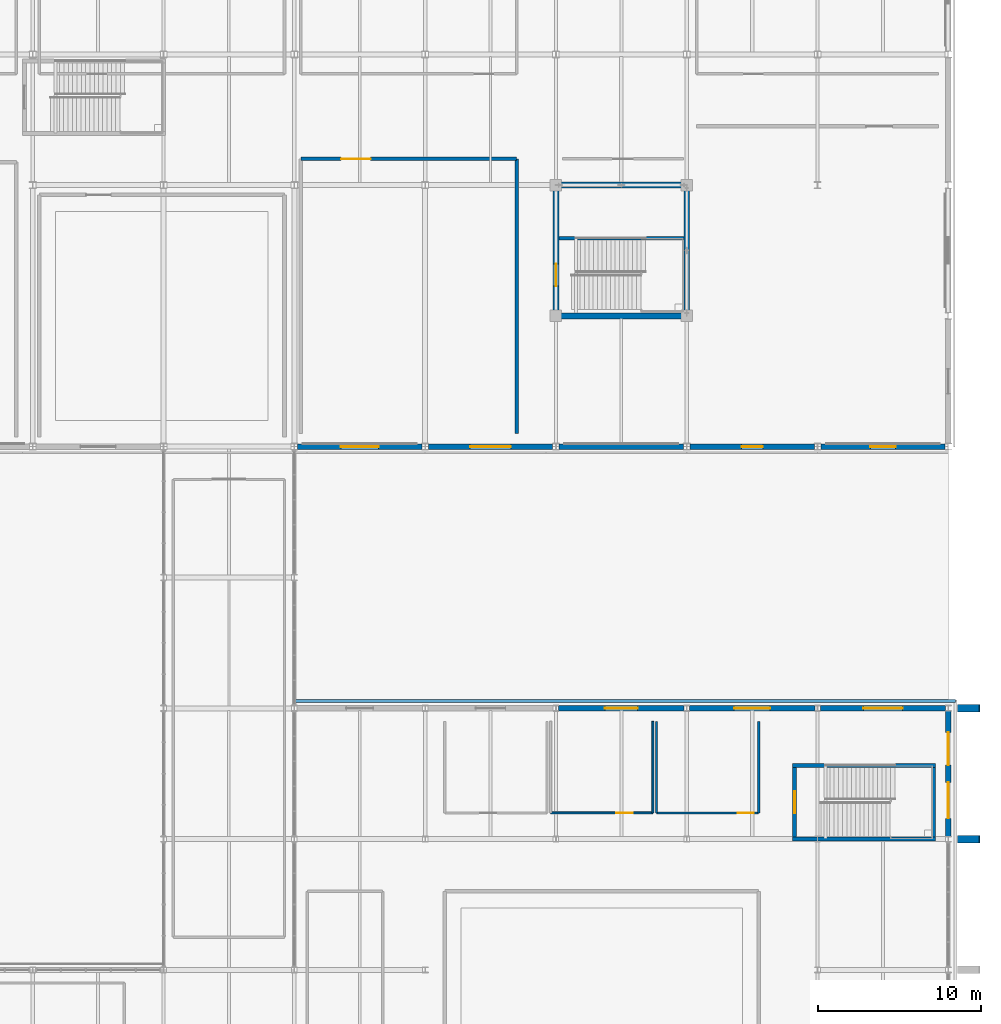
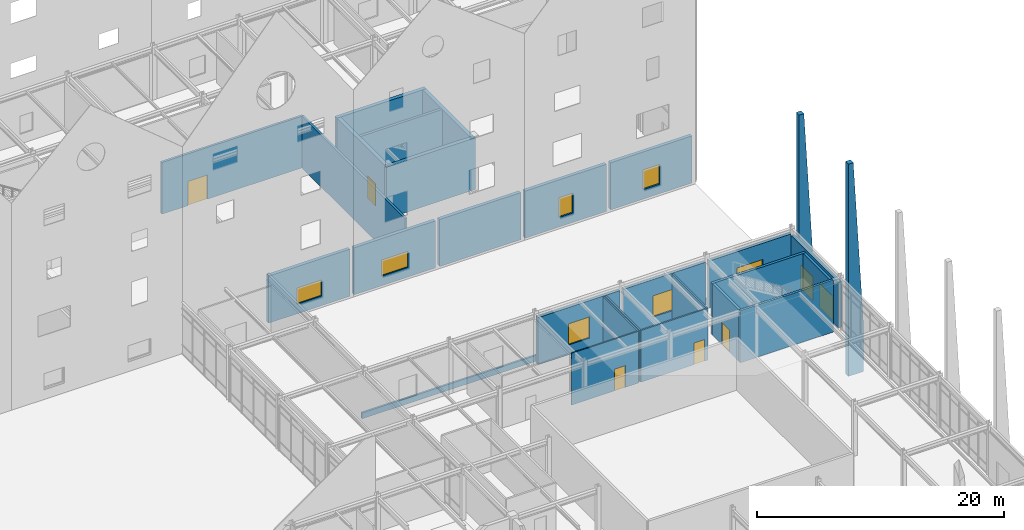
# One storey, part 97 of 119: 28 walls, 7 doors, 7 windows, 14 openings.
"""IFC4 building model written with IfcOpenShell, lengths in metres."""

from ifc_helpers import new_model, si_unit, direction, frame, frame_2d, origin, place, context, subcontext, project, spatial, polyline, rectangle, outline, extrude, material, layer, layer_set, type_object, element, fill, save


model = new_model("IFC4")

# Units and contexts
model_context = context("Model", 3, precision=1e-05, world=origin(), true_north=direction((0.0, 1.0)))
body_context = subcontext(model_context, "Body", "Model", "MODEL_VIEW")
ifc_project = project(units=[si_unit("LENGTHUNIT", "METRE"), si_unit("AREAUNIT", "SQUARE_METRE"), si_unit("VOLUMEUNIT", "CUBIC_METRE"), si_unit("PLANEANGLEUNIT", "RADIAN"), si_unit("MASSUNIT", "GRAM", prefix="KILO")], contexts=[model_context])

# Site, building, storey
site_placement = place(None, origin())
site = spatial("IfcSite", under=ifc_project, at=site_placement, CompositionType="ELEMENT")
building_placement = place(site_placement, origin())
building = spatial("IfcBuilding", under=site, at=building_placement, Name="Zhaolan Boulevard Law Courts", CompositionType="ELEMENT")
storey_placement = place(building_placement, origin())
storey = spatial("IfcBuildingStorey", under=building, at=storey_placement, Name="L00", CompositionType="ELEMENT", Elevation=0.0)

# Walls
ifc_material_1 = material(Name="Concrete C50", Category="concrete")
ifc_layer_1 = layer(ifc_material_1, 0.35009765625)
ifc_layer_set_1 = layer_set([ifc_layer_1])
wall_type_1 = type_object("IfcWallType", Name="CORE SHEAR WALL 350", PredefinedType="SHEAR", material=ifc_layer_set_1)
for number, where, z_axis, x_axis, name in (
    (1, (139.824951171875, 70.0, 0.0), (0.0, 0.0, 1.0), (1.0, 0.0, 0.0), "Core Shear Wall CW-T2-L00S"),
    (2, (148.175048828125, 78.0, 0.0), (0.0, 0.0, 1.0), (-1.0, 0.0, 0.0), "Core Shear Wall CW-T2-L00N"),
):
    element("IfcWall", number, at=place(storey_placement, frame(where, z_axis=z_axis, x_axis=x_axis)), inside=storey, type_object=wall_type_1, Name=name, PredefinedType="SHEAR", context=body_context, shape_type="SweptSolid", body=[
        extrude(rectangle(XDim=8.35009765625, YDim=0.35009765625, at=frame_2d((4.175048828125, 0.0))), origin(), (0.0, 0.0, 1.0), 5.1201171875),
    ])

# Wall, opening, door
wall_1_placement = place(storey_placement, frame((140.0, 70.175048828125, 0.0), z_axis=(0.0, 0.0, 1.0), x_axis=(0.0, 1.0, 0.0)))
wall_1 = element("IfcWall", 3, at=wall_1_placement, inside=storey, type_object=wall_type_1, Name="Core Shear Wall CW-T2-L00W", PredefinedType="SHEAR", context=body_context, shape_type="SweptSolid", body=[
    extrude(rectangle(XDim=7.64990234375, YDim=0.35009765625, at=frame_2d((3.824951171875, 0.0))), origin(), (0.0, 0.0, 1.0), 5.1201171875),
])
opening_1_placement = place(wall_1_placement, frame((1.64990234375, 0.0, 0.0)))
opening_1 = element("IfcOpeningElement", 4, at=opening_1_placement, cuts=wall_1, Name="Opening SD-L00-34", PredefinedType="OPENING", context=body_context, shape_type="SweptSolid", body=[
    extrude(rectangle(XDim=1.35009765625, YDim=2.199951171875, at=frame_2d((0.675048828125, 1.10009765625))), frame((0.0, 0.18505859375, 0.0), z_axis=(0.0, -1.0, 0.0), x_axis=(1.0, 0.0, 0.0)), (0.0, 0.0, 1.0), 0.3701171875),
])
ifc_material_2 = material(Name="Fire-rated steel acoustic door", Category="steel")
door_type_1 = type_object("IfcDoorType", Name="STAIR FIRE 1350X2200 R", OperationType="SINGLE_SWING_RIGHT", PredefinedType="DOOR", material=ifc_material_2)
door_1_placement = place(opening_1_placement, origin())
door_1 = element("IfcDoor", 5, at=door_1_placement, inside=storey, type_object=door_type_1, Name="Smoke-Proof Stairwell Fire Door SD-L00-34", OperationType="SINGLE_SWING_RIGHT", OverallHeight=2.199951171875, OverallWidth=1.35009765625, PredefinedType="DOOR", context=body_context, shape_type="SweptSolid", body=[
    extrude(rectangle(XDim=1.35009765625, YDim=2.199951171875, at=frame_2d((0.675048828125, 1.10009765625))), frame((0.0, 0.02490234375, 0.0), z_axis=(0.0, -1.0, 0.0), x_axis=(1.0, 0.0, 0.0)), (0.0, 0.0, 1.0), 0.050048828125),
])
fill(opening_1, door_1)

# Walls
wall_2_placement = place(storey_placement, frame((148.0, 70.175048828125, 0.0), z_axis=(0.0, 0.0, 1.0), x_axis=(0.0, 1.0, 0.0)))
element("IfcWall", 6, at=wall_2_placement, inside=storey, type_object=wall_type_1, Name="Core Shear Wall CW-T2-L00E", PredefinedType="SHEAR", context=body_context, shape_type="SweptSolid", body=[
    extrude(rectangle(XDim=7.64990234375, YDim=0.35009765625, at=frame_2d((3.824951171875, 0.0))), origin(), (0.0, 0.0, 1.0), 5.1201171875),
])
ifc_material_3 = material(Name="Concrete C40", Category="concrete")
ifc_layer_2 = layer(ifc_material_3, 0.179931640625)
ifc_layer_set_2 = layer_set([ifc_layer_2])
wall_type_2 = type_object("IfcWallType", Name="EXT WALL ARCH CLAD180", PredefinedType="SOLIDWALL", material=ifc_layer_set_2)
wall_3_placement = place(storey_placement, frame((164.43994140625, 46.43994140625, 0.0), z_axis=(0.0, 0.0, 1.0), x_axis=(-1.0, 0.0, 0.0)))
element("IfcWall", 7, at=wall_3_placement, inside=storey, type_object=wall_type_2, Name="Architectural Concrete Spandrel Band CBW-007", PredefinedType="SOLIDWALL", context=body_context, shape_type="SweptSolid", body=[
    extrude(rectangle(XDim=40.43994140625, YDim=0.179931640625, at=frame_2d((20.219970703125, 0.0))), origin(), (0.0, 0.0, 1.0), 0.580078125),
])
ifc_material_4 = material(Name="Concrete C40", Category="concrete")
ifc_layer_3 = layer(ifc_material_4, 0.4599609375)
ifc_layer_set_3 = layer_set([ifc_layer_3])
wall_type_3 = type_object("IfcWallType", Name="EXT WALL BUTTRESS460", PredefinedType="SOLIDWALL", material=ifc_layer_set_3)
for number, where, z_axis, x_axis, name in (
    (8, (164.550048828125, 38.0, -4.800048828125), (0.0, 0.0, 1.0), (1.0, 0.0, 0.0), "Sculpted Battered Concrete Buttress BTR-020"),
    (9, (164.550048828125, 46.0, -4.800048828125), (0.0, 0.0, 1.0), (1.0, 0.0, 0.0), "Sculpted Battered Concrete Buttress BTR-021"),
):
    element("IfcWall", number, at=place(storey_placement, frame(where, z_axis=z_axis, x_axis=x_axis)), inside=storey, type_object=wall_type_3, Name=name, PredefinedType="SOLIDWALL", context=body_context, shape_type="SweptSolid", body=[
        extrude(outline(polyline([(0.0, 0.0), (1.39990234375, 0.0), (1.39990234375, 4.800048828125), (0.449951171875, 21.0), (0.0, 21.0), (0.0, 0.0)])), frame((0.0, 0.22998046875, 0.0), z_axis=(0.0, -1.0, 0.0), x_axis=(1.0, 0.0, 0.0)), (0.0, 0.0, 1.0), 0.4599609375),
    ])

# Wall, opening, window
ifc_material_5 = material(Name="Concrete C40", Category="concrete")
ifc_layer_4 = layer(ifc_material_5, 0.320068359375)
ifc_layer_set_4 = layer_set([ifc_layer_4])
wall_type_4 = type_object("IfcWallType", Name="EXT WALL CONCRETE320", PredefinedType="SOLIDWALL", material=ifc_layer_set_4)
wall_4_placement = place(storey_placement, frame((147.8291015625, 46.0, 0.0), z_axis=(0.0, 0.0, 1.0), x_axis=(-1.0, 0.0, 0.0)))
wall_4 = element("IfcWall", 10, at=wall_4_placement, inside=storey, type_object=wall_type_4, Name="Exterior Wall EW-L00-150", PredefinedType="SOLIDWALL", context=body_context, shape_type="SweptSolid", body=[
    extrude(rectangle(XDim=7.658203125, YDim=0.320068359375, at=frame_2d((3.8291015625, 0.0))), origin(), (0.0, 0.0, 1.0), 4.6630859375),
])
opening_2_placement = place(wall_4_placement, frame((2.8291015625, 0.0, 0.949951171875)))
opening_2 = element("IfcOpeningElement", 11, at=opening_2_placement, cuts=wall_4, Name="Opening WIN-L00-013", PredefinedType="OPENING", context=body_context, shape_type="SweptSolid", body=[
    extrude(rectangle(XDim=2.0, YDim=2.10009765625, at=frame_2d((1.0, 1.050048828125))), frame((0.0, 0.169921875, 0.0), z_axis=(0.0, -1.0, 0.0), x_axis=(1.0, 0.0, 0.0)), (0.0, 0.0, 1.0), 0.340087890625),
])
ifc_material_6 = material(Name="Thermally broken aluminium and low-E glazing", Category="aluminium")
window_type_1 = type_object("IfcWindowType", Name="WINDOW 2000X2100", PartitioningType="DOUBLE_PANEL_VERTICAL", PredefinedType="WINDOW", material=ifc_material_6)
window_1_placement = place(opening_2_placement, origin())
window_1 = element("IfcWindow", 12, at=window_1_placement, inside=storey, type_object=window_type_1, Name="Exterior Window WIN-L00-013", OverallHeight=2.10009765625, OverallWidth=2.0, PartitioningType="SINGLE_PANEL", PredefinedType="WINDOW", context=body_context, shape_type="SweptSolid", body=[
    extrude(rectangle(XDim=2.0, YDim=2.10009765625, at=frame_2d((1.0, 1.050048828125))), frame((0.0, 0.030029296875, 0.0), z_axis=(0.0, -1.0, 0.0), x_axis=(1.0, 0.0, 0.0)), (0.0, 0.0, 1.0), 0.06005859375),
])
fill(opening_2, window_1)

wall_5_placement = place(storey_placement, frame((155.8291015625, 46.0, 0.0), z_axis=(0.0, 0.0, 1.0), x_axis=(-1.0, 0.0, 0.0)))
wall_5 = element("IfcWall", 13, at=wall_5_placement, inside=storey, type_object=wall_type_4, Name="Exterior Wall EW-L00-151", PredefinedType="SOLIDWALL", context=body_context, shape_type="SweptSolid", body=[
    extrude(rectangle(XDim=7.658203125, YDim=0.320068359375, at=frame_2d((3.8291015625, 0.0))), origin(), (0.0, 0.0, 1.0), 4.6630859375),
])
opening_3_placement = place(wall_5_placement, frame((2.72900390625, 0.0, 0.949951171875)))
opening_3 = element("IfcOpeningElement", 14, at=opening_3_placement, cuts=wall_5, Name="Opening WIN-L00-014", PredefinedType="OPENING", context=body_context, shape_type="SweptSolid", body=[
    extrude(rectangle(XDim=2.199951171875, YDim=2.10009765625, at=frame_2d((1.10009765625, 1.050048828125))), frame((0.0, 0.169921875, 0.0), z_axis=(0.0, -1.0, 0.0), x_axis=(1.0, 0.0, 0.0)), (0.0, 0.0, 1.0), 0.340087890625),
])
ifc_material_7 = material(Name="Thermally broken aluminium and low-E glazing", Category="aluminium")
window_type_2 = type_object("IfcWindowType", Name="WINDOW 2200X2100", PartitioningType="DOUBLE_PANEL_VERTICAL", PredefinedType="WINDOW", material=ifc_material_7)
window_2_placement = place(opening_3_placement, origin())
window_2 = element("IfcWindow", 15, at=window_2_placement, inside=storey, type_object=window_type_2, Name="Exterior Window WIN-L00-014", OverallHeight=2.10009765625, OverallWidth=2.199951171875, PartitioningType="SINGLE_PANEL", PredefinedType="WINDOW", context=body_context, shape_type="SweptSolid", body=[
    extrude(rectangle(XDim=2.199951171875, YDim=2.10009765625, at=frame_2d((1.10009765625, 1.050048828125))), frame((0.0, 0.030029296875, 0.0), z_axis=(0.0, -1.0, 0.0), x_axis=(1.0, 0.0, 0.0)), (0.0, 0.0, 1.0), 0.06005859375),
])
fill(opening_3, window_2)

wall_6_placement = place(storey_placement, frame((163.8291015625, 46.0, 0.0), z_axis=(0.0, 0.0, 1.0), x_axis=(-1.0, 0.0, 0.0)))
wall_6 = element("IfcWall", 16, at=wall_6_placement, inside=storey, type_object=wall_type_4, Name="Exterior Wall EW-L00-152", PredefinedType="SOLIDWALL", context=body_context, shape_type="SweptSolid", body=[
    extrude(rectangle(XDim=7.658203125, YDim=0.320068359375, at=frame_2d((3.8291015625, 0.0))), origin(), (0.0, 0.0, 1.0), 4.6630859375),
])
opening_4_placement = place(wall_6_placement, frame((2.62890625, 0.0, 0.949951171875)))
opening_4 = element("IfcOpeningElement", 17, at=opening_4_placement, cuts=wall_6, Name="Opening WIN-L00-015", PredefinedType="OPENING", context=body_context, shape_type="SweptSolid", body=[
    extrude(rectangle(XDim=2.39990234375, YDim=2.10009765625, at=frame_2d((1.199951171875, 1.050048828125))), frame((0.0, 0.169921875, 0.0), z_axis=(0.0, -1.0, 0.0), x_axis=(1.0, 0.0, 0.0)), (0.0, 0.0, 1.0), 0.340087890625),
])
ifc_material_8 = material(Name="Thermally broken aluminium and low-E glazing", Category="aluminium")
window_type_3 = type_object("IfcWindowType", Name="WINDOW 2400X2100", PartitioningType="DOUBLE_PANEL_VERTICAL", PredefinedType="WINDOW", material=ifc_material_8)
window_3_placement = place(opening_4_placement, origin())
window_3 = element("IfcWindow", 18, at=window_3_placement, inside=storey, type_object=window_type_3, Name="Exterior Window WIN-L00-015", OverallHeight=2.10009765625, OverallWidth=2.39990234375, PartitioningType="SINGLE_PANEL", PredefinedType="WINDOW", context=body_context, shape_type="SweptSolid", body=[
    extrude(rectangle(XDim=2.39990234375, YDim=2.10009765625, at=frame_2d((1.199951171875, 1.050048828125))), frame((0.0, 0.030029296875, 0.0), z_axis=(0.0, -1.0, 0.0), x_axis=(1.0, 0.0, 0.0)), (0.0, 0.0, 1.0), 0.06005859375),
])
fill(opening_4, window_3)

# Wall, openings, doors
wall_7_placement = place(storey_placement, frame((164.0, 38.1708984375, 0.0), z_axis=(0.0, 0.0, 1.0), x_axis=(0.0, 1.0, 0.0)))
wall_7 = element("IfcWall", 19, at=wall_7_placement, inside=storey, type_object=wall_type_4, Name="Exterior Wall EW-L00-154", PredefinedType="SOLIDWALL", context=body_context, shape_type="SweptSolid", body=[
    extrude(rectangle(XDim=7.658203125, YDim=0.320068359375, at=frame_2d((3.8291015625, 0.0))), origin(), (0.0, 0.0, 1.0), 4.5029296875),
])
opening_5_placement = place(wall_7_placement, frame((1.09912109375, 0.0, 0.0)))
opening_5 = element("IfcOpeningElement", 20, at=opening_5_placement, cuts=wall_7, Name="Opening ED-37", PredefinedType="OPENING", context=body_context, shape_type="SweptSolid", body=[
    extrude(rectangle(XDim=2.199951171875, YDim=2.39990234375, at=frame_2d((1.10009765625, 1.199951171875))), frame((0.0, 0.169921875, 0.0), z_axis=(0.0, -1.0, 0.0), x_axis=(1.0, 0.0, 0.0)), (0.0, 0.0, 1.0), 0.340087890625),
])
opening_6_placement = place(wall_7_placement, frame((4.35888671875, 0.0, 0.0)))
opening_6 = element("IfcOpeningElement", 21, at=opening_6_placement, cuts=wall_7, Name="Opening ED-38", PredefinedType="OPENING", context=body_context, shape_type="SweptSolid", body=[
    extrude(rectangle(XDim=2.0, YDim=2.35009765625, at=frame_2d((1.0, 1.175048828125))), frame((0.0, 0.169921875, 0.0), z_axis=(0.0, -1.0, 0.0), x_axis=(1.0, 0.0, 0.0)), (0.0, 0.0, 1.0), 0.340087890625),
])
ifc_material_9 = material(Name="Insulated powder-coated steel and safety glass", Category="steel")
door_type_2 = type_object("IfcDoorType", Name="EXIT DOOR 2000X2350 R", OperationType="DOUBLE_DOOR_SINGLE_SWING", PredefinedType="DOOR", material=ifc_material_9)
door_2_placement = place(opening_6_placement, origin())
door_2 = element("IfcDoor", 22, at=door_2_placement, inside=storey, type_object=door_type_2, Name="Pedestrian Final Exit Door ED-38", OperationType="DOUBLE_DOOR_SINGLE_SWING", OverallHeight=2.35009765625, OverallWidth=2.0, PredefinedType="DOOR", context=body_context, shape_type="SweptSolid", body=[
    extrude(rectangle(XDim=2.0, YDim=2.35009765625, at=frame_2d((1.0, 1.175048828125))), frame((0.0, 0.02490234375, 0.0), z_axis=(0.0, -1.0, 0.0), x_axis=(1.0, 0.0, 0.0)), (0.0, 0.0, 1.0), 0.050048828125),
])
fill(opening_6, door_2)
ifc_material_10 = material(Name="Insulated powder-coated steel and safety glass", Category="steel")
door_type_3 = type_object("IfcDoorType", Name="EXIT DOOR 2200X2400 L", OperationType="DOUBLE_DOOR_SINGLE_SWING", PredefinedType="DOOR", material=ifc_material_10)
door_3_placement = place(opening_5_placement, origin())
door_3 = element("IfcDoor", 23, at=door_3_placement, inside=storey, type_object=door_type_3, Name="Pedestrian Final Exit Door ED-37", OperationType="DOUBLE_DOOR_SINGLE_SWING", OverallHeight=2.39990234375, OverallWidth=2.199951171875, PredefinedType="DOOR", context=body_context, shape_type="SweptSolid", body=[
    extrude(rectangle(XDim=2.199951171875, YDim=2.39990234375, at=frame_2d((1.10009765625, 1.199951171875))), frame((0.0, 0.02490234375, 0.0), z_axis=(0.0, -1.0, 0.0), x_axis=(1.0, 0.0, 0.0)), (0.0, 0.0, 1.0), 0.050048828125),
])
fill(opening_5, door_3)

# Wall, opening, window
wall_8_placement = place(storey_placement, frame((124.196044921875, 62.0, 0.0), z_axis=(0.0, 0.0, 1.0), x_axis=(1.0, 0.0, 0.0)))
wall_8 = element("IfcWall", 24, at=wall_8_placement, inside=storey, type_object=wall_type_4, Name="Exterior Wall EW-L00-180", PredefinedType="SOLIDWALL", context=body_context, shape_type="SweptSolid", body=[
    extrude(rectangle(XDim=7.60791015625, YDim=0.320068359375, at=frame_2d((3.803955078125, 0.0))), origin(), (0.0, 0.0, 1.0), 4.6630859375),
])
opening_7_placement = place(wall_8_placement, frame((2.654052734375, 0.0, 0.949951171875)))
opening_7 = element("IfcOpeningElement", 25, at=opening_7_placement, cuts=wall_8, Name="Opening WIN-L00-039", PredefinedType="OPENING", context=body_context, shape_type="SweptSolid", body=[
    extrude(rectangle(XDim=2.300048828125, YDim=1.60009765625, at=frame_2d((1.14990234375, 0.800048828125))), frame((0.0, 0.169921875, 0.0), z_axis=(0.0, -1.0, 0.0), x_axis=(1.0, 0.0, 0.0)), (0.0, 0.0, 1.0), 0.340087890625),
])
ifc_material_11 = material(Name="Thermally broken aluminium and low-E glazing", Category="aluminium")
window_type_4 = type_object("IfcWindowType", Name="WINDOW 2300X1600", PartitioningType="DOUBLE_PANEL_VERTICAL", PredefinedType="WINDOW", material=ifc_material_11)
window_4_placement = place(opening_7_placement, origin())
window_4 = element("IfcWindow", 26, at=window_4_placement, inside=storey, type_object=window_type_4, Name="Exterior Window WIN-L00-039", OverallHeight=1.60009765625, OverallWidth=2.300048828125, PartitioningType="SINGLE_PANEL", PredefinedType="WINDOW", context=body_context, shape_type="SweptSolid", body=[
    extrude(rectangle(XDim=2.300048828125, YDim=1.60009765625, at=frame_2d((1.14990234375, 0.800048828125))), frame((0.0, 0.030029296875, 0.0), z_axis=(0.0, -1.0, 0.0), x_axis=(1.0, 0.0, 0.0)), (0.0, 0.0, 1.0), 0.06005859375),
])
fill(opening_7, window_4)

wall_9_placement = place(storey_placement, frame((132.196044921875, 62.0, 0.0), z_axis=(0.0, 0.0, 1.0), x_axis=(1.0, 0.0, 0.0)))
wall_9 = element("IfcWall", 27, at=wall_9_placement, inside=storey, type_object=wall_type_4, Name="Exterior Wall EW-L00-181", PredefinedType="SOLIDWALL", context=body_context, shape_type="SweptSolid", body=[
    extrude(rectangle(XDim=7.60791015625, YDim=0.320068359375, at=frame_2d((3.803955078125, 0.0))), origin(), (0.0, 0.0, 1.0), 4.6630859375),
])
opening_8_placement = place(wall_9_placement, frame((2.553955078125, 0.0, 0.949951171875)))
opening_8 = element("IfcOpeningElement", 28, at=opening_8_placement, cuts=wall_9, Name="Opening WIN-L00-040", PredefinedType="OPENING", context=body_context, shape_type="SweptSolid", body=[
    extrude(rectangle(XDim=2.5, YDim=1.60009765625, at=frame_2d((1.25, 0.800048828125))), frame((0.0, 0.169921875, 0.0), z_axis=(0.0, -1.0, 0.0), x_axis=(1.0, 0.0, 0.0)), (0.0, 0.0, 1.0), 0.340087890625),
])
ifc_material_12 = material(Name="Thermally broken aluminium and low-E glazing", Category="aluminium")
window_type_5 = type_object("IfcWindowType", Name="WINDOW 2500X1600", PartitioningType="DOUBLE_PANEL_VERTICAL", PredefinedType="WINDOW", material=ifc_material_12)
window_5_placement = place(opening_8_placement, origin())
window_5 = element("IfcWindow", 29, at=window_5_placement, inside=storey, type_object=window_type_5, Name="Exterior Window WIN-L00-040", OverallHeight=1.60009765625, OverallWidth=2.5, PartitioningType="SINGLE_PANEL", PredefinedType="WINDOW", context=body_context, shape_type="SweptSolid", body=[
    extrude(rectangle(XDim=2.5, YDim=1.60009765625, at=frame_2d((1.25, 0.800048828125))), frame((0.0, 0.030029296875, 0.0), z_axis=(0.0, -1.0, 0.0), x_axis=(1.0, 0.0, 0.0)), (0.0, 0.0, 1.0), 0.06005859375),
])
fill(opening_8, window_5)

# Wall
wall_10_placement = place(storey_placement, frame((140.196044921875, 62.0, 0.0), z_axis=(0.0, 0.0, 1.0), x_axis=(1.0, 0.0, 0.0)))
element("IfcWall", 30, at=wall_10_placement, inside=storey, type_object=wall_type_4, Name="Exterior Wall EW-L00-182", PredefinedType="SOLIDWALL", context=body_context, shape_type="SweptSolid", body=[
    extrude(rectangle(XDim=7.60791015625, YDim=0.320068359375, at=frame_2d((3.803955078125, 0.0))), origin(), (0.0, 0.0, 1.0), 4.6630859375),
])

# Wall, opening, window
wall_11_placement = place(storey_placement, frame((148.196044921875, 62.0, 0.0), z_axis=(0.0, 0.0, 1.0), x_axis=(1.0, 0.0, 0.0)))
wall_11 = element("IfcWall", 31, at=wall_11_placement, inside=storey, type_object=wall_type_4, Name="Exterior Wall EW-L00-183", PredefinedType="SOLIDWALL", context=body_context, shape_type="SweptSolid", body=[
    extrude(rectangle(XDim=7.60791015625, YDim=0.320068359375, at=frame_2d((3.803955078125, 0.0))), origin(), (0.0, 0.0, 1.0), 4.6630859375),
])
opening_9_placement = place(wall_11_placement, frame((3.154052734375, 0.0, 0.949951171875)))
opening_9 = element("IfcOpeningElement", 32, at=opening_9_placement, cuts=wall_11, Name="Opening WIN-L00-041", PredefinedType="OPENING", context=body_context, shape_type="SweptSolid", body=[
    extrude(rectangle(XDim=1.300048828125, YDim=1.949951171875, at=frame_2d((0.64990234375, 0.97509765625))), frame((0.0, 0.169921875, 0.0), z_axis=(0.0, -1.0, 0.0), x_axis=(1.0, 0.0, 0.0)), (0.0, 0.0, 1.0), 0.340087890625),
])
ifc_material_13 = material(Name="Thermally broken aluminium and low-E glazing", Category="aluminium")
window_type_6 = type_object("IfcWindowType", Name="WINDOW 1300X1950", PartitioningType="SINGLE_PANEL", PredefinedType="WINDOW", material=ifc_material_13)
window_6_placement = place(opening_9_placement, origin())
window_6 = element("IfcWindow", 33, at=window_6_placement, inside=storey, type_object=window_type_6, Name="Exterior Window WIN-L00-041", OverallHeight=1.949951171875, OverallWidth=1.300048828125, PartitioningType="SINGLE_PANEL", PredefinedType="WINDOW", context=body_context, shape_type="SweptSolid", body=[
    extrude(rectangle(XDim=1.300048828125, YDim=1.949951171875, at=frame_2d((0.64990234375, 0.97509765625))), frame((0.0, 0.030029296875, 0.0), z_axis=(0.0, -1.0, 0.0), x_axis=(1.0, 0.0, 0.0)), (0.0, 0.0, 1.0), 0.06005859375),
])
fill(opening_9, window_6)

wall_12_placement = place(storey_placement, frame((156.196044921875, 62.0, 0.0), z_axis=(0.0, 0.0, 1.0), x_axis=(1.0, 0.0, 0.0)))
wall_12 = element("IfcWall", 34, at=wall_12_placement, inside=storey, type_object=wall_type_4, Name="Exterior Wall EW-L00-184", PredefinedType="SOLIDWALL", context=body_context, shape_type="SweptSolid", body=[
    extrude(rectangle(XDim=7.60791015625, YDim=0.320068359375, at=frame_2d((3.803955078125, 0.0))), origin(), (0.0, 0.0, 1.0), 4.6630859375),
])
opening_10_placement = place(wall_12_placement, frame((3.029052734375, 0.0, 0.949951171875)))
opening_10 = element("IfcOpeningElement", 35, at=opening_10_placement, cuts=wall_12, Name="Opening WIN-L00-042", PredefinedType="OPENING", context=body_context, shape_type="SweptSolid", body=[
    extrude(rectangle(XDim=1.550048828125, YDim=1.949951171875, at=frame_2d((0.77490234375, 0.97509765625))), frame((0.0, 0.169921875, 0.0), z_axis=(0.0, -1.0, 0.0), x_axis=(1.0, 0.0, 0.0)), (0.0, 0.0, 1.0), 0.340087890625),
])
ifc_material_14 = material(Name="Thermally broken aluminium and low-E glazing", Category="aluminium")
window_type_7 = type_object("IfcWindowType", Name="WINDOW 1550X1950", PartitioningType="SINGLE_PANEL", PredefinedType="WINDOW", material=ifc_material_14)
window_7_placement = place(opening_10_placement, origin())
window_7 = element("IfcWindow", 36, at=window_7_placement, inside=storey, type_object=window_type_7, Name="Exterior Window WIN-L00-042", OverallHeight=1.949951171875, OverallWidth=1.550048828125, PartitioningType="SINGLE_PANEL", PredefinedType="WINDOW", context=body_context, shape_type="SweptSolid", body=[
    extrude(rectangle(XDim=1.550048828125, YDim=1.949951171875, at=frame_2d((0.77490234375, 0.97509765625))), frame((0.0, 0.030029296875, 0.0), z_axis=(0.0, -1.0, 0.0), x_axis=(1.0, 0.0, 0.0)), (0.0, 0.0, 1.0), 0.06005859375),
])
fill(opening_10, window_7)

# Wall, opening, door
ifc_material_15 = material(Name="Concrete C40", Category="concrete")
ifc_layer_5 = layer(ifc_material_15, 0.219970703125)
ifc_layer_set_5 = layer_set([ifc_layer_5])
wall_type_5 = type_object("IfcWallType", Name="PART WALL COURT220", PredefinedType="PARTITIONING", material=ifc_layer_set_5)
wall_13_placement = place(storey_placement, frame((137.60009765625, 79.60009765625, 0.0), z_axis=(0.0, 0.0, 1.0), x_axis=(-1.0, 0.0, 0.0)))
wall_13 = element("IfcWall", 37, at=wall_13_placement, inside=storey, type_object=wall_type_5, Name="Interior Partition PW-L00-278", PredefinedType="PARTITIONING", context=body_context, shape_type="SweptSolid", body=[
    extrude(rectangle(XDim=13.2001953125, YDim=0.219970703125, at=frame_2d((6.60009765625, 0.0))), origin(), (0.0, 0.0, 1.0), 5.1201171875),
])
opening_11_placement = place(wall_13_placement, frame((8.93994140625, 0.0, 0.0)))
opening_11 = element("IfcOpeningElement", 38, at=opening_11_placement, cuts=wall_13, Name="Opening ID-L00-084", PredefinedType="OPENING", context=body_context, shape_type="SweptSolid", body=[
    extrude(rectangle(XDim=1.800048828125, YDim=2.39990234375, at=frame_2d((0.89990234375, 1.199951171875))), frame((0.0, 0.119873046875, 0.0), z_axis=(0.0, -1.0, 0.0), x_axis=(1.0, 0.0, 0.0)), (0.0, 0.0, 1.0), 0.239990234375),
])
ifc_material_16 = material(Name="Solid-core acoustic oak veneer door")
door_type_4 = type_object("IfcDoorType", Name="COURT DOUBLE 1800X2400", OperationType="DOUBLE_DOOR_SINGLE_SWING", PredefinedType="DOOR", material=ifc_material_16)
door_4_placement = place(opening_11_placement, origin())
door_4 = element("IfcDoor", 39, at=door_4_placement, inside=storey, type_object=door_type_4, Name="Door ID-L00-084 (Maritime Trial Courtroom 05)", OperationType="DOUBLE_DOOR_SINGLE_SWING", OverallHeight=2.39990234375, OverallWidth=1.800048828125, PredefinedType="DOOR", context=body_context, shape_type="SweptSolid", body=[
    extrude(rectangle(XDim=1.800048828125, YDim=2.39990234375, at=frame_2d((0.89990234375, 1.199951171875))), frame((0.0, 0.02490234375, 0.0), z_axis=(0.0, -1.0, 0.0), x_axis=(1.0, 0.0, 0.0)), (0.0, 0.0, 1.0), 0.050048828125),
])
fill(opening_11, door_4)

# Wall
wall_14_placement = place(storey_placement, frame((137.60009765625, 62.800048828125, 0.0), z_axis=(0.0, 0.0, 1.0), x_axis=(0.0, 1.0, 0.0)))
element("IfcWall", 40, at=wall_14_placement, inside=storey, type_object=wall_type_5, Name="Interior Partition PW-L00-280", PredefinedType="PARTITIONING", context=body_context, shape_type="SweptSolid", body=[
    extrude(rectangle(XDim=16.800048828125, YDim=0.219970703125, at=frame_2d((8.39990234375, 0.0))), origin(), (0.0, 0.0, 1.0), 5.1201171875),
])

# Wall, opening, door
ifc_material_17 = material(Name="Gypsum board stud partition")
ifc_layer_6 = layer(ifc_material_17, 0.1201171875)
ifc_layer_set_6 = layer_set([ifc_layer_6])
wall_type_6 = type_object("IfcWallType", Name="PART WALL LIGHT120", PredefinedType="PARTITIONING", material=ifc_layer_set_6)
wall_15_placement = place(storey_placement, frame((139.673095703125, 39.60009765625, 0.0), z_axis=(0.0, 0.0, 1.0), x_axis=(1.0, 0.0, 0.0)))
wall_15 = element("IfcWall", 41, at=wall_15_placement, inside=storey, type_object=wall_type_6, Name="Interior Partition PW-L00-262", PredefinedType="PARTITIONING", context=body_context, shape_type="SweptSolid", body=[
    extrude(rectangle(XDim=6.25390625, YDim=0.1201171875, at=frame_2d((3.126953125, 0.0))), origin(), (0.0, 0.0, 1.0), 5.1201171875),
])
opening_12_placement = place(wall_15_placement, frame((4.02294921875, 0.0, 0.0)))
opening_12 = element("IfcOpeningElement", 42, at=opening_12_placement, cuts=wall_15, Name="Opening JD-L00-078", PredefinedType="OPENING", context=body_context, shape_type="SweptSolid", body=[
    extrude(rectangle(XDim=1.0, YDim=2.14990234375, at=frame_2d((0.5, 1.074951171875))), frame((0.0, 0.070068359375, 0.0), z_axis=(0.0, -1.0, 0.0), x_axis=(1.0, 0.0, 0.0)), (0.0, 0.0, 1.0), 0.14013671875),
])
ifc_material_18 = material(Name="Solid-core acoustic oak veneer door")
door_type_5 = type_object("IfcDoorType", Name="CHAMBER DOOR 1000X2150 L", OperationType="SINGLE_SWING_LEFT", PredefinedType="DOOR", material=ifc_material_18)
door_5_placement = place(opening_12_placement, origin())
door_5 = element("IfcDoor", 43, at=door_5_placement, inside=storey, type_object=door_type_5, Name="Door JD-L00-078 (Judges' Chambers L00-02)", OperationType="SINGLE_SWING_LEFT", OverallHeight=2.14990234375, OverallWidth=1.0, PredefinedType="DOOR", context=body_context, shape_type="SweptSolid", body=[
    extrude(rectangle(XDim=1.0, YDim=2.14990234375, at=frame_2d((0.5, 1.074951171875))), frame((0.0, 0.02490234375, 0.0), z_axis=(0.0, -1.0, 0.0), x_axis=(1.0, 0.0, 0.0)), (0.0, 0.0, 1.0), 0.050048828125),
])
fill(opening_12, door_5)

# Wall
wall_16_placement = place(storey_placement, frame((145.927001953125, 39.60009765625, 0.0), z_axis=(0.0, 0.0, 1.0), x_axis=(0.0, 1.0, 0.0)))
element("IfcWall", 44, at=wall_16_placement, inside=storey, type_object=wall_type_6, Name="Interior Partition PW-L00-264", PredefinedType="PARTITIONING", context=body_context, shape_type="SweptSolid", body=[
    extrude(rectangle(XDim=5.599853515625, YDim=0.1201171875, at=frame_2d((2.7998046875, 0.0))), origin(), (0.0, 0.0, 1.0), 5.1201171875),
])

# Wall, opening, door
ifc_material_19 = material(Name="Fire-rated gypsum stud partition")
ifc_layer_7 = layer(ifc_material_19, 0.139892578125)
ifc_layer_set_7 = layer_set([ifc_layer_7])
wall_type_7 = type_object("IfcWallType", Name="PART WALL OFFICE140", PredefinedType="PARTITIONING", material=ifc_layer_set_7)
wall_17_placement = place(storey_placement, frame((146.14697265625, 39.60009765625, 0.0), z_axis=(0.0, 0.0, 1.0), x_axis=(1.0, 0.0, 0.0)))
wall_17 = element("IfcWall", 45, at=wall_17_placement, inside=storey, type_object=wall_type_7, Name="Interior Partition PW-L00-265", PredefinedType="PARTITIONING", context=body_context, shape_type="SweptSolid", body=[
    extrude(rectangle(XDim=6.2529296875, YDim=0.139892578125, at=frame_2d((3.12646484375, 0.0))), origin(), (0.0, 0.0, 1.0), 5.1201171875),
])
opening_13_placement = place(wall_17_placement, frame((4.972900390625, 0.0, 0.0)))
opening_13 = element("IfcOpeningElement", 46, at=opening_13_placement, cuts=wall_17, Name="Opening JD-L00-079", PredefinedType="OPENING", context=body_context, shape_type="SweptSolid", body=[
    extrude(rectangle(XDim=0.97998046875, YDim=2.14990234375, at=frame_2d((0.489990234375, 1.074951171875))), frame((0.0, 0.079833984375, 0.0), z_axis=(0.0, -1.0, 0.0), x_axis=(1.0, 0.0, 0.0)), (0.0, 0.0, 1.0), 0.159912109375),
])
ifc_material_20 = material(Name="Solid-core acoustic oak veneer door")
door_type_6 = type_object("IfcDoorType", Name="CHAMBER DOOR 980X2150 R", OperationType="SINGLE_SWING_RIGHT", PredefinedType="DOOR", material=ifc_material_20)
door_6_placement = place(opening_13_placement, origin())
door_6 = element("IfcDoor", 47, at=door_6_placement, inside=storey, type_object=door_type_6, Name="Door JD-L00-079 (Judges' Chambers L00-03)", OperationType="SINGLE_SWING_RIGHT", OverallHeight=2.14990234375, OverallWidth=0.97998046875, PredefinedType="DOOR", context=body_context, shape_type="SweptSolid", body=[
    extrude(rectangle(XDim=0.97998046875, YDim=2.14990234375, at=frame_2d((0.489990234375, 1.074951171875))), frame((0.0, 0.02490234375, 0.0), z_axis=(0.0, -1.0, 0.0), x_axis=(1.0, 0.0, 0.0)), (0.0, 0.0, 1.0), 0.050048828125),
])
fill(opening_13, door_6)

# Walls
for number, where, z_axis, x_axis, name in (
    (48, (146.14697265625, 45.199951171875, 0.0), (0.0, 0.0, 1.0), (0.0, -1.0, 0.0), "Interior Partition PW-L00-266"),
    (49, (152.39990234375, 39.60009765625, 0.0), (0.0, 0.0, 1.0), (0.0, 1.0, 0.0), "Interior Partition PW-L00-267"),
):
    element("IfcWall", number, at=place(storey_placement, frame(where, z_axis=z_axis, x_axis=x_axis)), inside=storey, type_object=wall_type_7, Name=name, PredefinedType="PARTITIONING", context=body_context, shape_type="SweptSolid", body=[
        extrude(rectangle(XDim=5.599853515625, YDim=0.139892578125, at=frame_2d((2.7998046875, 0.0))), origin(), (0.0, 0.0, 1.0), 5.1201171875),
    ])
ifc_material_21 = material(Name="Concrete C50", Category="concrete")
ifc_layer_8 = layer(ifc_material_21, 0.239990234375)
ifc_layer_set_8 = layer_set([ifc_layer_8])
wall_type_8 = type_object("IfcWallType", Name="STAIR WELL WALL 240", PredefinedType="SHEAR", material=ifc_layer_set_8)
for number, where, z_axis, x_axis, name in (
    (50, (154.47998046875, 38.0, 0.0), (0.0, 0.0, 1.0), (1.0, 0.0, 0.0), "Stairwell Shear Wall ST07-L00S"),
    (51, (163.219970703125, 42.5, 0.0), (0.0, 0.0, 1.0), (-1.0, 0.0, 0.0), "Stairwell Shear Wall ST07-L00N"),
):
    element("IfcWall", number, at=place(storey_placement, frame(where, z_axis=z_axis, x_axis=x_axis)), inside=storey, type_object=wall_type_8, Name=name, PredefinedType="SHEAR", context=body_context, shape_type="SweptSolid", body=[
        extrude(rectangle(XDim=8.739990234375, YDim=0.239990234375, at=frame_2d((4.3701171875, 0.0))), origin(), (0.0, 0.0, 1.0), 5.1201171875),
    ])

# Wall, opening, door
wall_18_placement = place(storey_placement, frame((154.60009765625, 38.1201171875, 0.0), z_axis=(0.0, 0.0, 1.0), x_axis=(0.0, 1.0, 0.0)))
wall_18 = element("IfcWall", 52, at=wall_18_placement, inside=storey, type_object=wall_type_8, Name="Stairwell Shear Wall ST07-L00W", PredefinedType="SHEAR", context=body_context, shape_type="SweptSolid", body=[
    extrude(rectangle(XDim=4.259765625, YDim=0.239990234375, at=frame_2d((2.1298828125, 0.0))), origin(), (0.0, 0.0, 1.0), 5.1201171875),
])
opening_14_placement = place(wall_18_placement, frame((1.455078125, 0.0, 0.0)))
opening_14 = element("IfcOpeningElement", 53, at=opening_14_placement, cuts=wall_18, Name="Opening SD-L00-56", PredefinedType="OPENING", context=body_context, shape_type="SweptSolid", body=[
    extrude(rectangle(XDim=1.35009765625, YDim=2.199951171875, at=frame_2d((0.675048828125, 1.10009765625))), frame((0.0, 0.1298828125, 0.0), z_axis=(0.0, -1.0, 0.0), x_axis=(1.0, 0.0, 0.0)), (0.0, 0.0, 1.0), 0.260009765625),
])
door_7_placement = place(opening_14_placement, origin())
door_7 = element("IfcDoor", 54, at=door_7_placement, inside=storey, type_object=door_type_1, Name="Smoke-Proof Stairwell Fire Door SD-L00-56", OperationType="SINGLE_SWING_RIGHT", OverallHeight=2.199951171875, OverallWidth=1.35009765625, PredefinedType="DOOR", context=body_context, shape_type="SweptSolid", body=[
    extrude(rectangle(XDim=1.35009765625, YDim=2.199951171875, at=frame_2d((0.675048828125, 1.10009765625))), frame((0.0, 0.02490234375, 0.0), z_axis=(0.0, -1.0, 0.0), x_axis=(1.0, 0.0, 0.0)), (0.0, 0.0, 1.0), 0.050048828125),
])
fill(opening_14, door_7)

# Walls
wall_19_placement = place(storey_placement, frame((163.10009765625, 38.1201171875, 0.0), z_axis=(0.0, 0.0, 1.0), x_axis=(0.0, 1.0, 0.0)))
element("IfcWall", 55, at=wall_19_placement, inside=storey, type_object=wall_type_8, Name="Stairwell Shear Wall ST07-L00E", PredefinedType="SHEAR", context=body_context, shape_type="SweptSolid", body=[
    extrude(rectangle(XDim=4.259765625, YDim=0.239990234375, at=frame_2d((2.1298828125, 0.0))), origin(), (0.0, 0.0, 1.0), 5.1201171875),
])
wall_20_placement = place(storey_placement, frame((140.175048828125, 74.75, 0.0), z_axis=(0.0, 0.0, 1.0), x_axis=(1.0, 0.0, 0.0)))
element("IfcWall", 56, at=wall_20_placement, inside=storey, type_object=wall_type_8, Name="Stairwell Divider Shear Wall ST09-L00N", PredefinedType="SHEAR", context=body_context, shape_type="SweptSolid", body=[
    extrude(rectangle(XDim=7.64990234375, YDim=0.239990234375, at=frame_2d((3.824951171875, 0.0))), origin(), (0.0, 0.0, 1.0), 5.1201171875),
])

save(model, "model.ifc")
